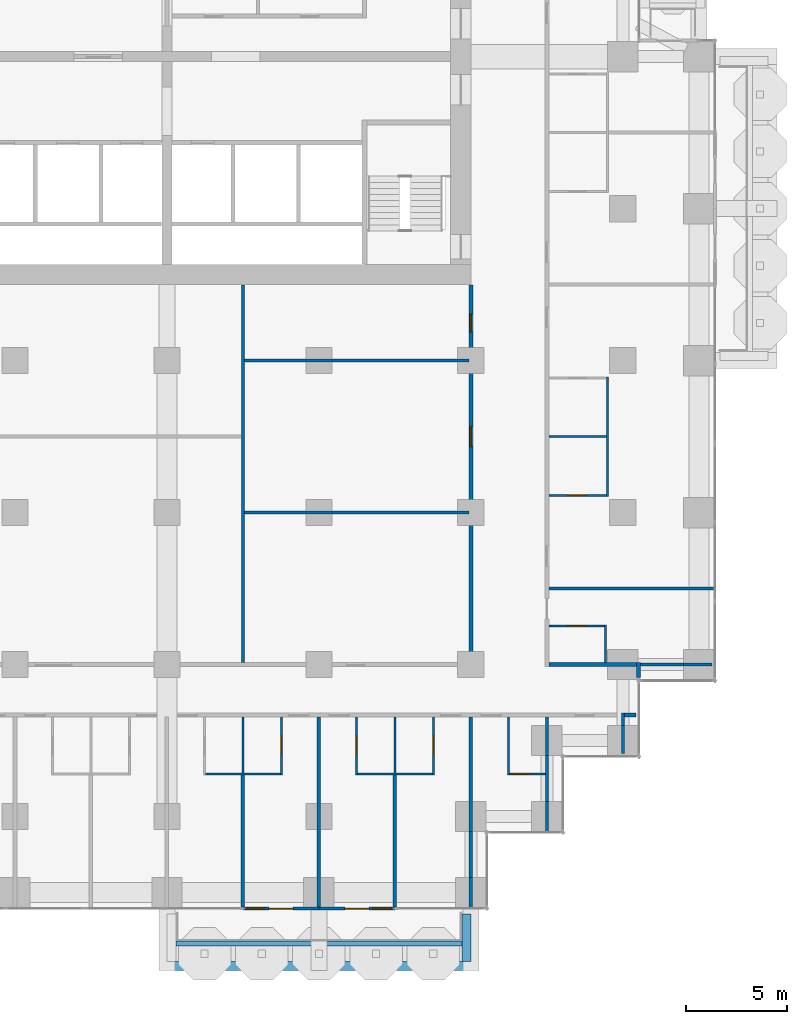
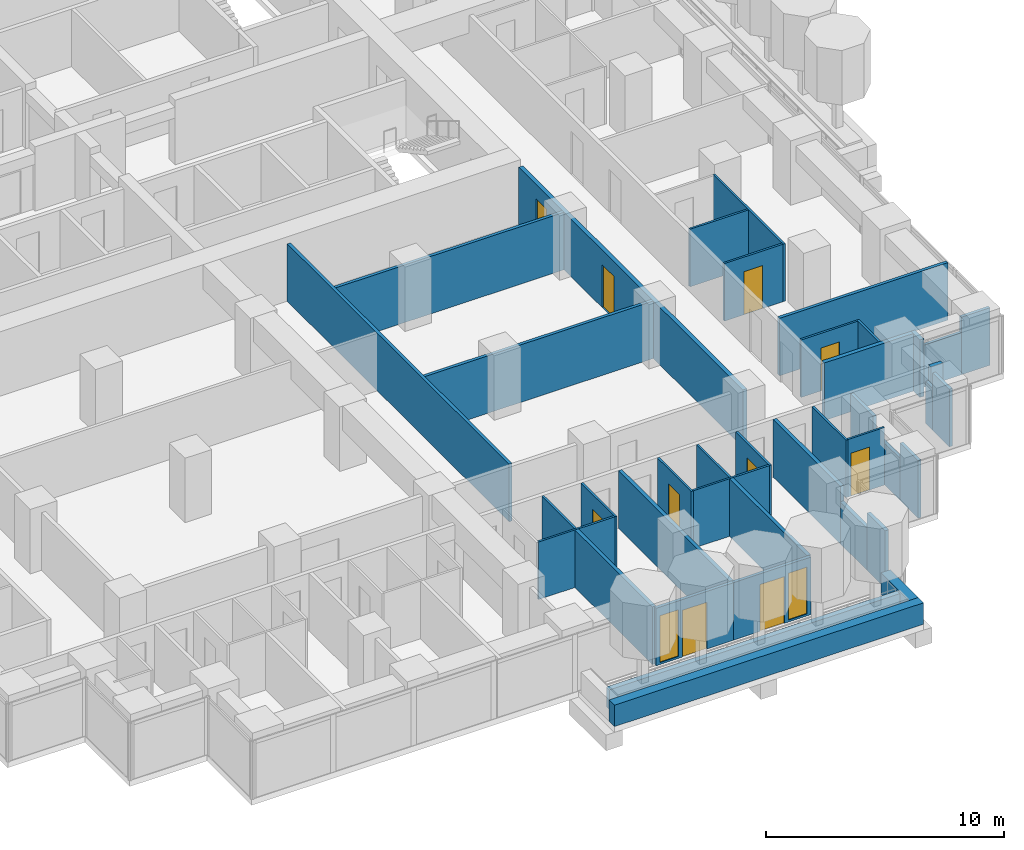
# One storey, part 13 of 20: 40 walls, 10 doors, 2 windows, 12 openings.
"""IFC4 building model written with IfcOpenShell, lengths in metres."""

from ifc_helpers import new_model, si_unit, direction, frame, frame_2d, origin, place, context, subcontext, project, spatial, rectangle, extrude, material, layer, layer_set, type_object, element, fill, save


model = new_model("IFC4")

# Units and contexts
model_context = context("Model", 3, precision=1e-05, world=origin(), true_north=direction((0.0, 1.0)))
body_context = subcontext(model_context, "Body", "Model", "MODEL_VIEW")
ifc_project = project(units=[si_unit("LENGTHUNIT", "METRE"), si_unit("AREAUNIT", "SQUARE_METRE"), si_unit("VOLUMEUNIT", "CUBIC_METRE"), si_unit("PLANEANGLEUNIT", "RADIAN"), si_unit("MASSUNIT", "GRAM", prefix="KILO")], contexts=[model_context])

# Site, building, storey
site_placement = place(None, origin())
site = spatial("IfcSite", under=ifc_project, at=site_placement, CompositionType="ELEMENT")
building_placement = place(site_placement, origin())
building = spatial("IfcBuilding", under=site, at=building_placement, Name="Pilkhan Gate Tower", CompositionType="ELEMENT")
storey_placement = place(building_placement, frame((0.0, 0.0, 98.89990234375)))
storey = spatial("IfcBuildingStorey", under=building, at=storey_placement, Name="L24", CompositionType="ELEMENT", Elevation=98.89990234375)

# Walls
ifc_material_1 = material(Name="Dense blockwork", Category="masonry")
ifc_layer_1 = layer(ifc_material_1, 0.175048828125)
ifc_layer_set_1 = layer_set([ifc_layer_1], Name="Acoustic party wall PW175")
wall_type_1 = type_object("IfcWallType", Name="Acoustic party wall PW175", PredefinedType="PARTITIONING", material=ifc_layer_set_1)
wall_1_placement = place(storey_placement, frame((78.75, 40.5400390625, 0.0), z_axis=(0.0, 0.0, 1.0), x_axis=(0.0, 1.0, 0.0)))
element("IfcWall", 1, at=wall_1_placement, inside=storey, type_object=wall_type_1, Name="Partition L24", PredefinedType="PARTITIONING", context=body_context, shape_type="SweptSolid", body=[
    extrude(rectangle(XDim=6.510009765625, YDim=0.175048828125, at=frame_2d((3.2548828125, 0.0))), origin(), (0.0, 0.0, 1.0), 2.9501953125),
])
wall_2_placement = place(storey_placement, frame((82.5, 40.5400390625, 0.0), z_axis=(0.0, 0.0, 1.0), x_axis=(0.0, 1.0, 0.0)))
element("IfcWall", 2, at=wall_2_placement, inside=storey, type_object=wall_type_1, Name="Partition L24", PredefinedType="PARTITIONING", context=body_context, shape_type="SweptSolid", body=[
    extrude(rectangle(XDim=9.35986328125, YDim=0.175048828125, at=frame_2d((4.679931640625, 0.0))), origin(), (0.0, 0.0, 1.0), 2.9501953125),
])
wall_3_placement = place(storey_placement, frame((86.25, 40.5400390625, 0.0), z_axis=(0.0, 0.0, 1.0), x_axis=(0.0, 1.0, 0.0)))
element("IfcWall", 3, at=wall_3_placement, inside=storey, type_object=wall_type_1, Name="Partition L24", PredefinedType="PARTITIONING", context=body_context, shape_type="SweptSolid", body=[
    extrude(rectangle(XDim=6.510009765625, YDim=0.175048828125, at=frame_2d((3.2548828125, 0.0))), origin(), (0.0, 0.0, 1.0), 2.9501953125),
])
wall_4_placement = place(storey_placement, frame((90.0, 40.485107421875, 0.0), z_axis=(0.0, 0.0, 1.0), x_axis=(0.0, 1.0, 0.0)))
element("IfcWall", 4, at=wall_4_placement, inside=storey, type_object=wall_type_1, Name="Partition L24", PredefinedType="PARTITIONING", context=body_context, shape_type="SweptSolid", body=[
    extrude(rectangle(XDim=1.514892578125, YDim=0.175048828125, at=frame_2d((0.75732421875, 0.0))), origin(), (0.0, 0.0, 1.0), 2.9501953125),
])
wall_5_placement = place(storey_placement, frame((90.0, 42.0, 0.0), z_axis=(0.0, 0.0, 1.0), x_axis=(0.0, 1.0, 0.0)))
element("IfcWall", 5, at=wall_5_placement, inside=storey, type_object=wall_type_1, Name="Partition L24", PredefinedType="PARTITIONING", context=body_context, shape_type="SweptSolid", body=[
    extrude(rectangle(XDim=2.2509765625, YDim=0.175048828125, at=frame_2d((1.12548828125, 0.0))), origin(), (0.0, 0.0, 1.0), 2.150146484375),
])
wall_6_placement = place(storey_placement, frame((90.0, 44.2509765625, 0.0), z_axis=(0.0, 0.0, 1.0), x_axis=(0.0, 1.0, 0.0)))
element("IfcWall", 6, at=wall_6_placement, inside=storey, type_object=wall_type_1, Name="Partition L24", PredefinedType="PARTITIONING", context=body_context, shape_type="SweptSolid", body=[
    extrude(rectangle(XDim=5.64892578125, YDim=0.175048828125, at=frame_2d((2.824462890625, 0.0))), origin(), (0.0, 0.0, 1.0), 2.9501953125),
])
ifc_material_2 = material(Name="Concrete C40/50", Category="concrete")
ifc_layer_2 = layer(ifc_material_2, 0.25)
ifc_layer_set_2 = layer_set([ifc_layer_2], Name="Balcony planter BP250")
wall_type_2 = type_object("IfcWallType", Name="Balcony planter BP250", PredefinedType="USERDEFINED", material=ifc_layer_set_2)
wall_7_placement = place(storey_placement, frame((75.449951171875, 38.72509765625, 0.0), z_axis=(0.0, 0.0, 1.0), x_axis=(1.0, 0.0, 0.0)))
element("IfcWall", 7, at=wall_7_placement, inside=storey, type_object=wall_type_2, Name="Balcony planter L24 S", ObjectType="BALCONY PLANTER", PredefinedType="USERDEFINED", context=body_context, shape_type="SweptSolid", body=[
    extrude(rectangle(XDim=14.10009765625, YDim=0.25, at=frame_2d((7.050048828125, 0.0))), origin(), (0.0, 0.0, 1.0), 1.0),
])
ifc_material_3 = material(Name="Board-marked Concrete C40/50", Category="concrete")
ifc_layer_3 = layer(ifc_material_3, 0.449951171875)
ifc_layer_set_3 = layer_set([ifc_layer_3], Name="Balcony planter lip BL450")
wall_type_3 = type_object("IfcWallType", Name="Balcony planter lip BL450", PredefinedType="USERDEFINED", material=ifc_layer_set_3)
wall_8_placement = place(storey_placement, frame((75.0, 37.625, 0.0), z_axis=(0.0, 0.0, 1.0), x_axis=(1.0, 0.0, 0.0)))
element("IfcWall", 8, at=wall_8_placement, inside=storey, type_object=wall_type_3, Name="Balcony planter L24 S", ObjectType="BALCONY PLANTER", PredefinedType="USERDEFINED", context=body_context, shape_type="SweptSolid", body=[
    extrude(rectangle(XDim=15.0, YDim=0.449951171875, at=frame_2d((7.5, 0.0))), origin(), (0.0, 0.0, 1.0), 1.10009765625),
])
wall_9_placement = place(storey_placement, frame((89.77490234375, 40.199951171875, 0.0), z_axis=(0.0, 0.0, 1.0), x_axis=(0.0, -1.0, 0.0)))
element("IfcWall", 9, at=wall_9_placement, inside=storey, type_object=wall_type_3, Name="Balcony planter L24 S", ObjectType="BALCONY PLANTER", PredefinedType="USERDEFINED", context=body_context, shape_type="SweptSolid", body=[
    extrude(rectangle(XDim=2.349853515625, YDim=0.449951171875, at=frame_2d((1.1748046875, 0.0))), origin(), (0.0, 0.0, 1.0), 1.10009765625),
])
ifc_layer_4 = layer(ifc_material_1, 0.199951171875)
ifc_layer_set_4 = layer_set([ifc_layer_4], Name="Corridor wall FW200")
wall_type_4 = type_object("IfcWallType", Name="Corridor wall FW200", PredefinedType="PARTITIONING", material=ifc_layer_set_4)
wall_10_placement = place(storey_placement, frame((97.574951171875, 50.0, 0.0), z_axis=(0.0, 0.0, 1.0), x_axis=(1.0, 0.0, 0.0)))
element("IfcWall", 10, at=wall_10_placement, inside=storey, type_object=wall_type_4, Name="Partition L24", PredefinedType="PARTITIONING", context=body_context, shape_type="SweptSolid", body=[
    extrude(rectangle(XDim=0.570068359375, YDim=0.199951171875, at=frame_2d((0.28515625, 0.0))), origin(), (0.0, 0.0, 1.0), 2.9501953125),
])
wall_11_placement = place(storey_placement, frame((93.85009765625, 52.5, 0.0), z_axis=(0.0, 0.0, 1.0), x_axis=(1.0, 0.0, 0.0)))
element("IfcWall", 11, at=wall_11_placement, inside=storey, type_object=wall_type_4, Name="Partition L24", PredefinedType="PARTITIONING", context=body_context, shape_type="SweptSolid", body=[
    extrude(rectangle(XDim=4.31494140625, YDim=0.199951171875, at=frame_2d((2.157470703125, 0.0))), origin(), (0.0, 0.0, 1.0), 2.9501953125),
])

# Wall, openings, doors
wall_12_placement = place(storey_placement, frame((90.0, 52.39990234375, 0.0), z_axis=(0.0, 0.0, 1.0), x_axis=(0.0, 1.0, 0.0)))
wall_12 = element("IfcWall", 12, at=wall_12_placement, inside=storey, type_object=wall_type_4, Name="Partition L24", PredefinedType="PARTITIONING", context=body_context, shape_type="SweptSolid", body=[
    extrude(rectangle(XDim=18.840087890625, YDim=0.199951171875, at=frame_2d((9.419921875, 0.0))), origin(), (0.0, 0.0, 1.0), 2.9501953125),
])
opening_1_placement = place(wall_12_placement, frame((10.85009765625, 0.0, 0.0)))
opening_1 = element("IfcOpeningElement", 13, at=opening_1_placement, cuts=wall_12, Name="Opening L24-56", PredefinedType="OPENING", context=body_context, shape_type="SweptSolid", body=[
    extrude(rectangle(XDim=1.0, YDim=2.199951171875, at=frame_2d((0.5, 1.10009765625))), frame((0.0, 0.10986328125, 0.0), z_axis=(0.0, -1.0, 0.0), x_axis=(1.0, 0.0, 0.0)), (0.0, 0.0, 1.0), 0.219970703125),
])
opening_2_placement = place(wall_12_placement, frame((16.5, 0.0, 0.0)))
opening_2 = element("IfcOpeningElement", 14, at=opening_2_placement, cuts=wall_12, Name="Opening L24-58", PredefinedType="OPENING", context=body_context, shape_type="SweptSolid", body=[
    extrude(rectangle(XDim=0.89990234375, YDim=2.199951171875, at=frame_2d((0.449951171875, 1.10009765625))), frame((0.0, 0.10986328125, 0.0), z_axis=(0.0, -1.0, 0.0), x_axis=(1.0, 0.0, 0.0)), (0.0, 0.0, 1.0), 0.219970703125),
])
ifc_material_4 = material(Name="Timber flush door, 30 minute fire resisting", Category="wood")
door_type_1 = type_object("IfcDoorType", Name="Room door D03 1000x2200", OperationType="SINGLE_SWING_LEFT", PredefinedType="DOOR", material=ifc_material_4)
door_1_placement = place(opening_1_placement, origin())
door_1 = element("IfcDoor", 15, at=door_1_placement, inside=storey, type_object=door_type_1, Name="Room door", OperationType="SINGLE_SWING_RIGHT", OverallHeight=2.199951171875, OverallWidth=1.0, PredefinedType="DOOR", context=body_context, shape_type="SweptSolid", body=[
    extrude(rectangle(XDim=1.0, YDim=2.199951171875, at=frame_2d((0.5, 1.10009765625))), frame((0.0, 0.02490234375, 0.0), z_axis=(0.0, -1.0, 0.0), x_axis=(1.0, 0.0, 0.0)), (0.0, 0.0, 1.0), 0.050048828125),
])
fill(opening_1, door_1)
ifc_material_5 = material(Name="Timber flush door, 60 minute fire resisting, self-closing", Category="wood")
door_type_2 = type_object("IfcDoorType", Name="Store door D05 900x2200", OperationType="SINGLE_SWING_LEFT", PredefinedType="DOOR", material=ifc_material_5)
door_2_placement = place(opening_2_placement, origin())
door_2 = element("IfcDoor", 16, at=door_2_placement, inside=storey, type_object=door_type_2, Name="Store door", OperationType="SINGLE_SWING_LEFT", OverallHeight=2.199951171875, OverallWidth=0.89990234375, PredefinedType="DOOR", context=body_context, shape_type="SweptSolid", body=[
    extrude(rectangle(XDim=0.89990234375, YDim=2.199951171875, at=frame_2d((0.449951171875, 1.10009765625))), frame((0.0, 0.02490234375, 0.0), z_axis=(0.0, -1.0, 0.0), x_axis=(1.0, 0.0, 0.0)), (0.0, 0.0, 1.0), 0.050048828125),
])
fill(opening_2, door_2)

# Wall
wall_13_placement = place(storey_placement, frame((98.264892578125, 51.85498046875, 0.0), z_axis=(0.0, 0.0, 1.0), x_axis=(0.0, 1.0, 0.0)))
element("IfcWall", 17, at=wall_13_placement, inside=storey, type_object=wall_type_4, Name="Partition L24", PredefinedType="PARTITIONING", context=body_context, shape_type="SweptSolid", body=[
    extrude(rectangle(XDim=0.7451171875, YDim=0.199951171875, at=frame_2d((0.37255859375, 0.0))), origin(), (0.0, 0.0, 1.0), 2.9501953125),
])

# Wall, openings, door, window
ifc_material_6 = material(Name="Pale anodised aluminium, clear laminated glazing", Category="aluminium")
ifc_layer_5 = layer(ifc_material_6, 0.14990234375)
ifc_layer_set_5 = layer_set([ifc_layer_5], Name="Facade infill wall IW150")
wall_type_5 = type_object("IfcWallType", Name="Facade infill wall IW150", PredefinedType="SOLIDWALL", material=ifc_layer_set_5)
wall_14_placement = place(storey_placement, frame((78.75, 40.455078125, 0.0), z_axis=(0.0, 0.0, 1.0), x_axis=(1.0, 0.0, 0.0)))
wall_14 = element("IfcWall", 18, at=wall_14_placement, inside=storey, type_object=wall_type_5, Name="Infill wall L24 S", PredefinedType="SOLIDWALL", context=body_context, shape_type="SweptSolid", body=[
    extrude(rectangle(XDim=3.75, YDim=0.14990234375, at=frame_2d((1.875, 0.0))), origin(), (0.0, 0.0, 1.0), 2.9501953125),
])
opening_3_placement = place(wall_14_placement, frame((0.1875, 0.0, 0.10009765625)))
opening_3 = element("IfcOpeningElement", 19, at=opening_3_placement, cuts=wall_14, Name="Opening W1", PredefinedType="OPENING", context=body_context, shape_type="SweptSolid", body=[
    extrude(rectangle(XDim=0.89990234375, YDim=2.39990234375, at=frame_2d((0.449951171875, 1.199951171875))), frame((0.0, 0.0849609375, 0.0), z_axis=(0.0, -1.0, 0.0), x_axis=(1.0, 0.0, 0.0)), (0.0, 0.0, 1.0), 0.169921875),
])
opening_4_placement = place(wall_14_placement, frame((1.27490234375, 0.0, 0.0)))
opening_4 = element("IfcOpeningElement", 20, at=opening_4_placement, cuts=wall_14, Name="Opening D1", PredefinedType="OPENING", context=body_context, shape_type="SweptSolid", body=[
    extrude(rectangle(XDim=1.199951171875, YDim=2.39990234375, at=frame_2d((0.60009765625, 1.199951171875))), frame((0.0, 0.0849609375, 0.0), z_axis=(0.0, -1.0, 0.0), x_axis=(1.0, 0.0, 0.0)), (0.0, 0.0, 1.0), 0.169921875),
])
ifc_material_7 = material(Name="Pale anodised aluminium, clear glazing", Category="aluminium")
door_type_3 = type_object("IfcDoorType", Name="Balcony door D1 1200x2400", OperationType="SINGLE_SWING_LEFT", PredefinedType="DOOR", material=ifc_material_7)
door_3_placement = place(opening_4_placement, origin())
door_3 = element("IfcDoor", 21, at=door_3_placement, inside=storey, type_object=door_type_3, Name="Balcony door L24", OperationType="SINGLE_SWING_LEFT", OverallHeight=2.39990234375, OverallWidth=1.199951171875, PredefinedType="DOOR", context=body_context, shape_type="SweptSolid", body=[
    extrude(rectangle(XDim=1.199951171875, YDim=2.39990234375, at=frame_2d((0.60009765625, 1.199951171875))), frame((0.0, 0.02490234375, 0.0), z_axis=(0.0, -1.0, 0.0), x_axis=(1.0, 0.0, 0.0)), (0.0, 0.0, 1.0), 0.050048828125),
])
fill(opening_4, door_3)
ifc_material_8 = material(Name="Pale anodised aluminium, clear double glazing", Category="aluminium")
window_type = type_object("IfcWindowType", Name="Window W1 900x2400", PartitioningType="SINGLE_PANEL", PredefinedType="WINDOW", material=ifc_material_8)
window_1_placement = place(opening_3_placement, origin())
window_1 = element("IfcWindow", 22, at=window_1_placement, inside=storey, type_object=window_type, Name="Window L24", OverallHeight=2.39990234375, OverallWidth=0.89990234375, PartitioningType="SINGLE_PANEL", PredefinedType="WINDOW", context=body_context, shape_type="SweptSolid", body=[
    extrude(rectangle(XDim=0.89990234375, YDim=2.39990234375, at=frame_2d((0.449951171875, 1.199951171875))), frame((0.0, 0.030029296875, 0.0), z_axis=(0.0, -1.0, 0.0), x_axis=(1.0, 0.0, 0.0)), (0.0, 0.0, 1.0), 0.06005859375),
])
fill(opening_3, window_1)

wall_15_placement = place(storey_placement, frame((82.5, 40.455078125, 0.0), z_axis=(0.0, 0.0, 1.0), x_axis=(1.0, 0.0, 0.0)))
wall_15 = element("IfcWall", 23, at=wall_15_placement, inside=storey, type_object=wall_type_5, Name="Infill wall L24 S", PredefinedType="SOLIDWALL", context=body_context, shape_type="SweptSolid", body=[
    extrude(rectangle(XDim=3.75, YDim=0.14990234375, at=frame_2d((1.875, 0.0))), origin(), (0.0, 0.0, 1.0), 2.9501953125),
])
opening_5_placement = place(wall_15_placement, frame((1.27490234375, 0.0, 0.0)))
opening_5 = element("IfcOpeningElement", 24, at=opening_5_placement, cuts=wall_15, Name="Opening D1", PredefinedType="OPENING", context=body_context, shape_type="SweptSolid", body=[
    extrude(rectangle(XDim=1.199951171875, YDim=2.39990234375, at=frame_2d((0.60009765625, 1.199951171875))), frame((0.0, 0.0849609375, 0.0), z_axis=(0.0, -1.0, 0.0), x_axis=(1.0, 0.0, 0.0)), (0.0, 0.0, 1.0), 0.169921875),
])
opening_6_placement = place(wall_15_placement, frame((2.66259765625, 0.0, 0.10009765625)))
opening_6 = element("IfcOpeningElement", 25, at=opening_6_placement, cuts=wall_15, Name="Opening W1", PredefinedType="OPENING", context=body_context, shape_type="SweptSolid", body=[
    extrude(rectangle(XDim=0.89990234375, YDim=2.39990234375, at=frame_2d((0.449951171875, 1.199951171875))), frame((0.0, 0.0849609375, 0.0), z_axis=(0.0, -1.0, 0.0), x_axis=(1.0, 0.0, 0.0)), (0.0, 0.0, 1.0), 0.169921875),
])
door_4_placement = place(opening_5_placement, origin())
door_4 = element("IfcDoor", 26, at=door_4_placement, inside=storey, type_object=door_type_3, Name="Balcony door L24", OperationType="SINGLE_SWING_LEFT", OverallHeight=2.39990234375, OverallWidth=1.199951171875, PredefinedType="DOOR", context=body_context, shape_type="SweptSolid", body=[
    extrude(rectangle(XDim=1.199951171875, YDim=2.39990234375, at=frame_2d((0.60009765625, 1.199951171875))), frame((0.0, 0.02490234375, 0.0), z_axis=(0.0, -1.0, 0.0), x_axis=(1.0, 0.0, 0.0)), (0.0, 0.0, 1.0), 0.050048828125),
])
fill(opening_5, door_4)
window_2_placement = place(opening_6_placement, origin())
window_2 = element("IfcWindow", 27, at=window_2_placement, inside=storey, type_object=window_type, Name="Window L24", OverallHeight=2.39990234375, OverallWidth=0.89990234375, PartitioningType="SINGLE_PANEL", PredefinedType="WINDOW", context=body_context, shape_type="SweptSolid", body=[
    extrude(rectangle(XDim=0.89990234375, YDim=2.39990234375, at=frame_2d((0.449951171875, 1.199951171875))), frame((0.0, 0.030029296875, 0.0), z_axis=(0.0, -1.0, 0.0), x_axis=(1.0, 0.0, 0.0)), (0.0, 0.0, 1.0), 0.06005859375),
])
fill(opening_6, window_2)

# Walls
ifc_material_9 = material(Name="Blockwork partition, plastered both sides", Category="masonry")
ifc_layer_6 = layer(ifc_material_9, 0.14990234375)
ifc_layer_set_6 = layer_set([ifc_layer_6], Name="Partition PW150")
wall_type_6 = type_object("IfcWallType", Name="Partition PW150", PredefinedType="PARTITIONING", material=ifc_layer_set_6)
wall_16_placement = place(storey_placement, frame((98.364990234375, 52.5, 0.0), z_axis=(0.0, 0.0, 1.0), x_axis=(1.0, 0.0, 0.0)))
element("IfcWall", 28, at=wall_16_placement, inside=storey, type_object=wall_type_6, Name="Partition L24", PredefinedType="PARTITIONING", context=body_context, shape_type="SweptSolid", body=[
    extrude(rectangle(XDim=2.135986328125, YDim=0.14990234375, at=frame_2d((1.06787109375, 0.0))), origin(), (0.0, 0.0, 1.0), 2.150146484375),
])
wall_17_placement = place(storey_placement, frame((100.5009765625, 52.5, 0.0), z_axis=(0.0, 0.0, 1.0), x_axis=(1.0, 0.0, 0.0)))
element("IfcWall", 29, at=wall_17_placement, inside=storey, type_object=wall_type_6, Name="Partition L24", PredefinedType="PARTITIONING", context=body_context, shape_type="SweptSolid", body=[
    extrude(rectangle(XDim=1.39404296875, YDim=0.14990234375, at=frame_2d((0.697021484375, 0.0))), origin(), (0.0, 0.0, 1.0), 2.9501953125),
])
wall_18_placement = place(storey_placement, frame((93.85009765625, 56.25, 0.0), z_axis=(0.0, 0.0, 1.0), x_axis=(1.0, 0.0, 0.0)))
element("IfcWall", 30, at=wall_18_placement, inside=storey, type_object=wall_type_6, Name="Partition L24", PredefinedType="PARTITIONING", context=body_context, shape_type="SweptSolid", body=[
    extrude(rectangle(XDim=8.164794921875, YDim=0.14990234375, at=frame_2d((4.08251953125, 0.0))), origin(), (0.0, 0.0, 1.0), 2.9501953125),
])
for number, where, z_axis, x_axis, name in (
    (31, (78.824951171875, 60.0, 0.0), (0.0, 0.0, 1.0), (1.0, 0.0, 0.0), "Partition L24"),
    (32, (78.824951171875, 67.5, 0.0), (0.0, 0.0, 1.0), (1.0, 0.0, 0.0), "Partition L24"),
):
    element("IfcWall", number, at=place(storey_placement, frame(where, z_axis=z_axis, x_axis=x_axis)), inside=storey, type_object=wall_type_6, Name=name, PredefinedType="PARTITIONING", context=body_context, shape_type="SweptSolid", body=[
        extrude(rectangle(XDim=11.074951171875, YDim=0.14990234375, at=frame_2d((5.53759765625, 0.0))), origin(), (0.0, 0.0, 1.0), 2.9501953125),
    ])
wall_19_placement = place(storey_placement, frame((78.75, 52.60009765625, 0.0), z_axis=(0.0, 0.0, 1.0), x_axis=(0.0, 1.0, 0.0)))
element("IfcWall", 33, at=wall_19_placement, inside=storey, type_object=wall_type_6, Name="Partition L24", PredefinedType="PARTITIONING", context=body_context, shape_type="SweptSolid", body=[
    extrude(rectangle(XDim=18.639892578125, YDim=0.14990234375, at=frame_2d((9.31982421875, 0.0))), origin(), (0.0, 0.0, 1.0), 2.9501953125),
])
wall_20_placement = place(storey_placement, frame((93.75, 44.235107421875, 0.0), z_axis=(0.0, 0.0, 1.0), x_axis=(0.0, 1.0, 0.0)))
element("IfcWall", 34, at=wall_20_placement, inside=storey, type_object=wall_type_6, Name="Partition L24", PredefinedType="PARTITIONING", context=body_context, shape_type="SweptSolid", body=[
    extrude(rectangle(XDim=1.514892578125, YDim=0.14990234375, at=frame_2d((0.75732421875, 0.0))), origin(), (0.0, 0.0, 1.0), 2.9501953125),
])
wall_21_placement = place(storey_placement, frame((93.75, 45.75, 0.0), z_axis=(0.0, 0.0, 1.0), x_axis=(0.0, 1.0, 0.0)))
element("IfcWall", 35, at=wall_21_placement, inside=storey, type_object=wall_type_6, Name="Partition L24", PredefinedType="PARTITIONING", context=body_context, shape_type="SweptSolid", body=[
    extrude(rectangle(XDim=2.2509765625, YDim=0.14990234375, at=frame_2d((1.12548828125, 0.0))), origin(), (0.0, 0.0, 1.0), 2.150146484375),
])
wall_22_placement = place(storey_placement, frame((93.75, 48.0009765625, 0.0), z_axis=(0.0, 0.0, 1.0), x_axis=(0.0, 1.0, 0.0)))
element("IfcWall", 36, at=wall_22_placement, inside=storey, type_object=wall_type_6, Name="Partition L24", PredefinedType="PARTITIONING", context=body_context, shape_type="SweptSolid", body=[
    extrude(rectangle(XDim=1.89892578125, YDim=0.14990234375, at=frame_2d((0.949462890625, 0.0))), origin(), (0.0, 0.0, 1.0), 2.9501953125),
])
wall_23_placement = place(storey_placement, frame((97.5, 48.10498046875, 0.0), z_axis=(0.0, 0.0, 1.0), x_axis=(0.0, 1.0, 0.0)))
element("IfcWall", 37, at=wall_23_placement, inside=storey, type_object=wall_type_6, Name="Partition L24", PredefinedType="PARTITIONING", context=body_context, shape_type="SweptSolid", body=[
    extrude(rectangle(XDim=1.39501953125, YDim=0.14990234375, at=frame_2d((0.697509765625, 0.0))), origin(), (0.0, 0.0, 1.0), 2.9501953125),
])
wall_24_placement = place(storey_placement, frame((97.5, 49.5, 0.0), z_axis=(0.0, 0.0, 1.0), x_axis=(0.0, 1.0, 0.0)))
element("IfcWall", 38, at=wall_24_placement, inside=storey, type_object=wall_type_6, Name="Partition L24", PredefinedType="PARTITIONING", context=body_context, shape_type="SweptSolid", body=[
    extrude(rectangle(XDim=0.60009765625, YDim=0.14990234375, at=frame_2d((0.300048828125, 0.0))), origin(), (0.0, 0.0, 1.0), 2.150146484375),
])
ifc_material_10 = material(Name="Moisture resistant board, tiled")
ifc_layer_7 = layer(ifc_material_10, 0.10009765625)
ifc_layer_set_7 = layer_set([ifc_layer_7], Name="Wet wall PW100")
wall_type_7 = type_object("IfcWallType", Name="Wet wall PW100", PredefinedType="PARTITIONING", material=ifc_layer_set_7)
for number, where, z_axis, x_axis, name in (
    (39, (76.89990234375, 47.10009765625, 0.0), (0.0, 0.0, 1.0), (1.0, 0.0, 0.0), "Partition L24"),
    (40, (84.39990234375, 47.10009765625, 0.0), (0.0, 0.0, 1.0), (1.0, 0.0, 0.0), "Partition L24"),
):
    element("IfcWall", number, at=place(storey_placement, frame(where, z_axis=z_axis, x_axis=x_axis)), inside=storey, type_object=wall_type_7, Name=name, PredefinedType="PARTITIONING", context=body_context, shape_type="SweptSolid", body=[
        extrude(rectangle(XDim=3.7001953125, YDim=0.10009765625, at=frame_2d((1.85009765625, 0.0))), origin(), (0.0, 0.0, 1.0), 2.9501953125),
    ])

# Wall, opening, door
wall_25_placement = place(storey_placement, frame((91.89990234375, 47.10009765625, 0.0), z_axis=(0.0, 0.0, 1.0), x_axis=(1.0, 0.0, 0.0)))
wall_25 = element("IfcWall", 41, at=wall_25_placement, inside=storey, type_object=wall_type_7, Name="Partition L24", PredefinedType="PARTITIONING", context=body_context, shape_type="SweptSolid", body=[
    extrude(rectangle(XDim=1.775146484375, YDim=0.10009765625, at=frame_2d((0.8876953125, 0.0))), origin(), (0.0, 0.0, 1.0), 2.9501953125),
])
opening_7_placement = place(wall_25_placement, frame((0.14990234375, 0.0, 0.0)))
opening_7 = element("IfcOpeningElement", 42, at=opening_7_placement, cuts=wall_25, Name="Opening L24-25", PredefinedType="OPENING", context=body_context, shape_type="SweptSolid", body=[
    extrude(rectangle(XDim=0.89990234375, YDim=2.199951171875, at=frame_2d((0.449951171875, 1.10009765625))), frame((0.0, 0.06005859375, 0.0), z_axis=(0.0, -1.0, 0.0), x_axis=(1.0, 0.0, 0.0)), (0.0, 0.0, 1.0), 0.1201171875),
])
ifc_material_11 = material(Name="Timber flush door", Category="wood")
door_type_4 = type_object("IfcDoorType", Name="Bathroom door D02 900x2200", OperationType="SINGLE_SWING_RIGHT", PredefinedType="DOOR", material=ifc_material_11)
door_5_placement = place(opening_7_placement, origin())
door_5 = element("IfcDoor", 43, at=door_5_placement, inside=storey, type_object=door_type_4, Name="Bathroom door", OperationType="SINGLE_SWING_RIGHT", OverallHeight=2.199951171875, OverallWidth=0.89990234375, PredefinedType="DOOR", context=body_context, shape_type="SweptSolid", body=[
    extrude(rectangle(XDim=0.89990234375, YDim=2.199951171875, at=frame_2d((0.449951171875, 1.10009765625))), frame((0.0, 0.02490234375, 0.0), z_axis=(0.0, -1.0, 0.0), x_axis=(1.0, 0.0, 0.0)), (0.0, 0.0, 1.0), 0.050048828125),
])
fill(opening_7, door_5)

wall_26_placement = place(storey_placement, frame((93.85009765625, 54.39990234375, 0.0), z_axis=(0.0, 0.0, 1.0), x_axis=(1.0, 0.0, 0.0)))
wall_26 = element("IfcWall", 44, at=wall_26_placement, inside=storey, type_object=wall_type_7, Name="Partition L24", PredefinedType="PARTITIONING", context=body_context, shape_type="SweptSolid", body=[
    extrude(rectangle(XDim=2.75, YDim=0.10009765625, at=frame_2d((1.375, 0.0))), origin(), (0.0, 0.0, 1.0), 2.9501953125),
])
opening_8_placement = place(wall_26_placement, frame((0.949951171875, 0.0, 0.0)))
opening_8 = element("IfcOpeningElement", 45, at=opening_8_placement, cuts=wall_26, Name="Opening L24-37", PredefinedType="OPENING", context=body_context, shape_type="SweptSolid", body=[
    extrude(rectangle(XDim=0.89990234375, YDim=2.199951171875, at=frame_2d((0.449951171875, 1.10009765625))), frame((0.0, 0.06005859375, 0.0), z_axis=(0.0, -1.0, 0.0), x_axis=(1.0, 0.0, 0.0)), (0.0, 0.0, 1.0), 0.1201171875),
])
door_6_placement = place(opening_8_placement, origin())
door_6 = element("IfcDoor", 46, at=door_6_placement, inside=storey, type_object=door_type_4, Name="Bathroom door", OperationType="SINGLE_SWING_RIGHT", OverallHeight=2.199951171875, OverallWidth=0.89990234375, PredefinedType="DOOR", context=body_context, shape_type="SweptSolid", body=[
    extrude(rectangle(XDim=0.89990234375, YDim=2.199951171875, at=frame_2d((0.449951171875, 1.10009765625))), frame((0.0, 0.02490234375, 0.0), z_axis=(0.0, -1.0, 0.0), x_axis=(1.0, 0.0, 0.0)), (0.0, 0.0, 1.0), 0.050048828125),
])
fill(opening_8, door_6)

wall_27_placement = place(storey_placement, frame((93.85009765625, 60.85009765625, 0.0), z_axis=(0.0, 0.0, 1.0), x_axis=(1.0, 0.0, 0.0)))
wall_27 = element("IfcWall", 47, at=wall_27_placement, inside=storey, type_object=wall_type_7, Name="Partition L24", PredefinedType="PARTITIONING", context=body_context, shape_type="SweptSolid", body=[
    extrude(rectangle(XDim=2.849853515625, YDim=0.10009765625, at=frame_2d((1.4248046875, 0.0))), origin(), (0.0, 0.0, 1.0), 2.9501953125),
])
opening_9_placement = place(wall_27_placement, frame((0.949951171875, 0.0, 0.0)))
opening_9 = element("IfcOpeningElement", 48, at=opening_9_placement, cuts=wall_27, Name="Opening L24-39", PredefinedType="OPENING", context=body_context, shape_type="SweptSolid", body=[
    extrude(rectangle(XDim=0.89990234375, YDim=2.199951171875, at=frame_2d((0.449951171875, 1.10009765625))), frame((0.0, 0.06005859375, 0.0), z_axis=(0.0, -1.0, 0.0), x_axis=(1.0, 0.0, 0.0)), (0.0, 0.0, 1.0), 0.1201171875),
])
door_7_placement = place(opening_9_placement, origin())
door_7 = element("IfcDoor", 49, at=door_7_placement, inside=storey, type_object=door_type_4, Name="Bathroom door", OperationType="SINGLE_SWING_RIGHT", OverallHeight=2.199951171875, OverallWidth=0.89990234375, PredefinedType="DOOR", context=body_context, shape_type="SweptSolid", body=[
    extrude(rectangle(XDim=0.89990234375, YDim=2.199951171875, at=frame_2d((0.449951171875, 1.10009765625))), frame((0.0, 0.02490234375, 0.0), z_axis=(0.0, -1.0, 0.0), x_axis=(1.0, 0.0, 0.0)), (0.0, 0.0, 1.0), 0.050048828125),
])
fill(opening_9, door_7)

# Walls
wall_28_placement = place(storey_placement, frame((93.85009765625, 63.75, 0.0), z_axis=(0.0, 0.0, 1.0), x_axis=(1.0, 0.0, 0.0)))
element("IfcWall", 50, at=wall_28_placement, inside=storey, type_object=wall_type_7, Name="Partition L24", PredefinedType="PARTITIONING", context=body_context, shape_type="SweptSolid", body=[
    extrude(rectangle(XDim=2.849853515625, YDim=0.10009765625, at=frame_2d((1.4248046875, 0.0))), origin(), (0.0, 0.0, 1.0), 2.9501953125),
])
wall_29_placement = place(storey_placement, frame((78.75, 47.14990234375, 0.0), z_axis=(0.0, 0.0, 1.0), x_axis=(0.0, 1.0, 0.0)))
element("IfcWall", 51, at=wall_29_placement, inside=storey, type_object=wall_type_7, Name="Partition L24", PredefinedType="PARTITIONING", context=body_context, shape_type="SweptSolid", body=[
    extrude(rectangle(XDim=2.75, YDim=0.10009765625, at=frame_2d((1.375, 0.0))), origin(), (0.0, 0.0, 1.0), 2.9501953125),
])

# Wall, opening, door
wall_30_placement = place(storey_placement, frame((80.64990234375, 47.050048828125, 0.0), z_axis=(0.0, 0.0, 1.0), x_axis=(0.0, 1.0, 0.0)))
wall_30 = element("IfcWall", 52, at=wall_30_placement, inside=storey, type_object=wall_type_7, Name="Partition L24", PredefinedType="PARTITIONING", context=body_context, shape_type="SweptSolid", body=[
    extrude(rectangle(XDim=2.849853515625, YDim=0.10009765625, at=frame_2d((1.4248046875, 0.0))), origin(), (0.0, 0.0, 1.0), 2.9501953125),
])
opening_10_placement = place(wall_30_placement, frame((1.0, 0.0, 0.0)))
opening_10 = element("IfcOpeningElement", 53, at=opening_10_placement, cuts=wall_30, Name="Opening L24-19", PredefinedType="OPENING", context=body_context, shape_type="SweptSolid", body=[
    extrude(rectangle(XDim=0.89990234375, YDim=2.199951171875, at=frame_2d((0.449951171875, 1.10009765625))), frame((0.0, 0.06005859375, 0.0), z_axis=(0.0, -1.0, 0.0), x_axis=(1.0, 0.0, 0.0)), (0.0, 0.0, 1.0), 0.1201171875),
])
door_8_placement = place(opening_10_placement, origin())
door_8 = element("IfcDoor", 54, at=door_8_placement, inside=storey, type_object=door_type_4, Name="Bathroom door", OperationType="SINGLE_SWING_RIGHT", OverallHeight=2.199951171875, OverallWidth=0.89990234375, PredefinedType="DOOR", context=body_context, shape_type="SweptSolid", body=[
    extrude(rectangle(XDim=0.89990234375, YDim=2.199951171875, at=frame_2d((0.449951171875, 1.10009765625))), frame((0.0, 0.02490234375, 0.0), z_axis=(0.0, -1.0, 0.0), x_axis=(1.0, 0.0, 0.0)), (0.0, 0.0, 1.0), 0.050048828125),
])
fill(opening_10, door_8)

wall_31_placement = place(storey_placement, frame((84.35009765625, 47.050048828125, 0.0), z_axis=(0.0, 0.0, 1.0), x_axis=(0.0, 1.0, 0.0)))
wall_31 = element("IfcWall", 55, at=wall_31_placement, inside=storey, type_object=wall_type_7, Name="Partition L24", PredefinedType="PARTITIONING", context=body_context, shape_type="SweptSolid", body=[
    extrude(rectangle(XDim=2.849853515625, YDim=0.10009765625, at=frame_2d((1.4248046875, 0.0))), origin(), (0.0, 0.0, 1.0), 2.9501953125),
])
opening_11_placement = place(wall_31_placement, frame((1.0, 0.0, 0.0)))
opening_11 = element("IfcOpeningElement", 56, at=opening_11_placement, cuts=wall_31, Name="Opening L24-21", PredefinedType="OPENING", context=body_context, shape_type="SweptSolid", body=[
    extrude(rectangle(XDim=0.89990234375, YDim=2.199951171875, at=frame_2d((0.449951171875, 1.10009765625))), frame((0.0, 0.06005859375, 0.0), z_axis=(0.0, -1.0, 0.0), x_axis=(1.0, 0.0, 0.0)), (0.0, 0.0, 1.0), 0.1201171875),
])
door_9_placement = place(opening_11_placement, origin())
door_9 = element("IfcDoor", 57, at=door_9_placement, inside=storey, type_object=door_type_4, Name="Bathroom door", OperationType="SINGLE_SWING_RIGHT", OverallHeight=2.199951171875, OverallWidth=0.89990234375, PredefinedType="DOOR", context=body_context, shape_type="SweptSolid", body=[
    extrude(rectangle(XDim=0.89990234375, YDim=2.199951171875, at=frame_2d((0.449951171875, 1.10009765625))), frame((0.0, 0.02490234375, 0.0), z_axis=(0.0, -1.0, 0.0), x_axis=(1.0, 0.0, 0.0)), (0.0, 0.0, 1.0), 0.050048828125),
])
fill(opening_11, door_9)

# Wall
wall_32_placement = place(storey_placement, frame((86.25, 47.14990234375, 0.0), z_axis=(0.0, 0.0, 1.0), x_axis=(0.0, 1.0, 0.0)))
element("IfcWall", 58, at=wall_32_placement, inside=storey, type_object=wall_type_7, Name="Partition L24", PredefinedType="PARTITIONING", context=body_context, shape_type="SweptSolid", body=[
    extrude(rectangle(XDim=2.75, YDim=0.10009765625, at=frame_2d((1.375, 0.0))), origin(), (0.0, 0.0, 1.0), 2.9501953125),
])

# Wall, opening, door
wall_33_placement = place(storey_placement, frame((88.14990234375, 47.050048828125, 0.0), z_axis=(0.0, 0.0, 1.0), x_axis=(0.0, 1.0, 0.0)))
wall_33 = element("IfcWall", 59, at=wall_33_placement, inside=storey, type_object=wall_type_7, Name="Partition L24", PredefinedType="PARTITIONING", context=body_context, shape_type="SweptSolid", body=[
    extrude(rectangle(XDim=2.849853515625, YDim=0.10009765625, at=frame_2d((1.4248046875, 0.0))), origin(), (0.0, 0.0, 1.0), 2.9501953125),
])
opening_12_placement = place(wall_33_placement, frame((1.0, 0.0, 0.0)))
opening_12 = element("IfcOpeningElement", 60, at=opening_12_placement, cuts=wall_33, Name="Opening L24-23", PredefinedType="OPENING", context=body_context, shape_type="SweptSolid", body=[
    extrude(rectangle(XDim=0.89990234375, YDim=2.199951171875, at=frame_2d((0.449951171875, 1.10009765625))), frame((0.0, 0.06005859375, 0.0), z_axis=(0.0, -1.0, 0.0), x_axis=(1.0, 0.0, 0.0)), (0.0, 0.0, 1.0), 0.1201171875),
])
door_10_placement = place(opening_12_placement, origin())
door_10 = element("IfcDoor", 61, at=door_10_placement, inside=storey, type_object=door_type_4, Name="Bathroom door", OperationType="SINGLE_SWING_RIGHT", OverallHeight=2.199951171875, OverallWidth=0.89990234375, PredefinedType="DOOR", context=body_context, shape_type="SweptSolid", body=[
    extrude(rectangle(XDim=0.89990234375, YDim=2.199951171875, at=frame_2d((0.449951171875, 1.10009765625))), frame((0.0, 0.02490234375, 0.0), z_axis=(0.0, -1.0, 0.0), x_axis=(1.0, 0.0, 0.0)), (0.0, 0.0, 1.0), 0.050048828125),
])
fill(opening_12, door_10)

# Walls
wall_34_placement = place(storey_placement, frame((91.85009765625, 47.050048828125, 0.0), z_axis=(0.0, 0.0, 1.0), x_axis=(0.0, 1.0, 0.0)))
element("IfcWall", 62, at=wall_34_placement, inside=storey, type_object=wall_type_7, Name="Partition L24", PredefinedType="PARTITIONING", context=body_context, shape_type="SweptSolid", body=[
    extrude(rectangle(XDim=2.849853515625, YDim=0.10009765625, at=frame_2d((1.4248046875, 0.0))), origin(), (0.0, 0.0, 1.0), 2.9501953125),
])
wall_35_placement = place(storey_placement, frame((96.64990234375, 52.60009765625, 0.0), z_axis=(0.0, 0.0, 1.0), x_axis=(0.0, 1.0, 0.0)))
element("IfcWall", 63, at=wall_35_placement, inside=storey, type_object=wall_type_7, Name="Partition L24", PredefinedType="PARTITIONING", context=body_context, shape_type="SweptSolid", body=[
    extrude(rectangle(XDim=1.849853515625, YDim=0.10009765625, at=frame_2d((0.9248046875, 0.0))), origin(), (0.0, 0.0, 1.0), 2.9501953125),
])
wall_36_placement = place(storey_placement, frame((96.75, 60.800048828125, 0.0), z_axis=(0.0, 0.0, 1.0), x_axis=(0.0, 1.0, 0.0)))
element("IfcWall", 64, at=wall_36_placement, inside=storey, type_object=wall_type_7, Name="Partition L24", PredefinedType="PARTITIONING", context=body_context, shape_type="SweptSolid", body=[
    extrude(rectangle(XDim=5.89990234375, YDim=0.10009765625, at=frame_2d((2.949951171875, 0.0))), origin(), (0.0, 0.0, 1.0), 2.9501953125),
])

save(model, "model.ifc")
